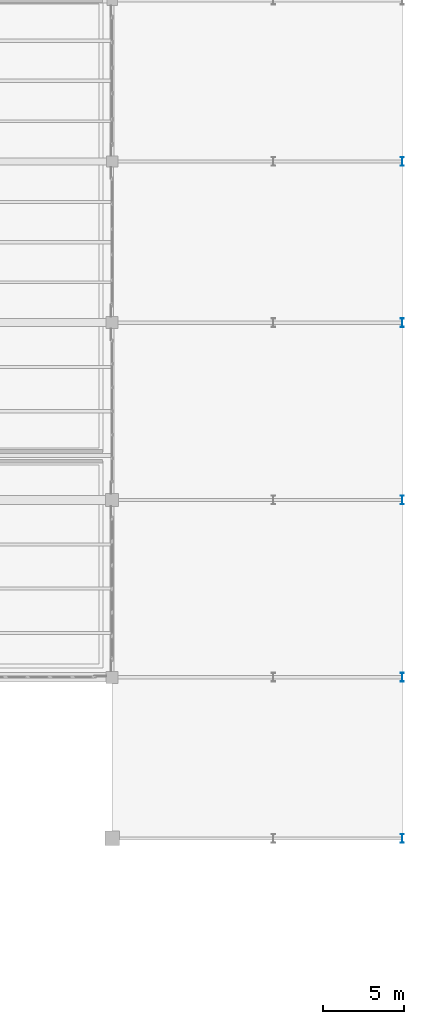
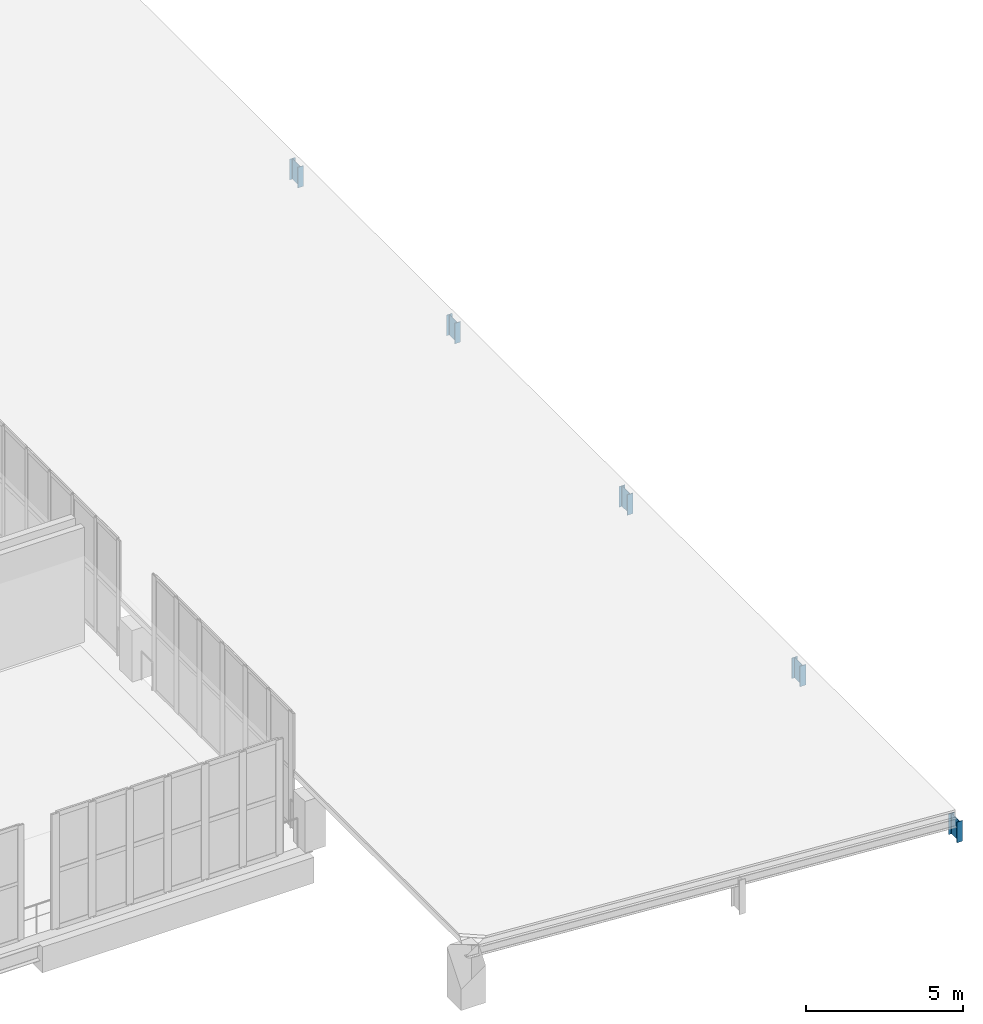
# One storey, part 15 of 136: 5 columns.
"""IFC4 building model written with IfcOpenShell, lengths in metres."""

from ifc_helpers import new_model, si_unit, direction, frame, origin, origin_2d, place, context, subcontext, project, spatial, i_section, extrude, material, material_profile, profile_set, type_object, element, save


model = new_model("IFC4")

# Units and contexts
model_context = context("Model", 3, precision=1e-05, world=origin(), true_north=direction((0.0, 1.0)))
body_context = subcontext(model_context, "Body", "Model", "MODEL_VIEW")
ifc_project = project(units=[si_unit("LENGTHUNIT", "METRE"), si_unit("AREAUNIT", "SQUARE_METRE"), si_unit("VOLUMEUNIT", "CUBIC_METRE"), si_unit("PLANEANGLEUNIT", "RADIAN"), si_unit("MASSUNIT", "GRAM", prefix="KILO")], contexts=[model_context])

# Site, building, storey
site_placement = place(None, origin())
site = spatial("IfcSite", under=ifc_project, at=site_placement, CompositionType="ELEMENT")
building_placement = place(site_placement, origin())
building = spatial("IfcBuilding", under=site, at=building_placement, Name="Brinegate Civic Arena", CompositionType="ELEMENT")
storey_placement = place(building_placement, frame((0.0, 0.0, 5.39990234375)))
storey = spatial("IfcBuildingStorey", under=building, at=storey_placement, Name="L01", CompositionType="ELEMENT", Elevation=5.39990234375)

# Columns
ifc_material = material(Name="Steel S355", Category="steel")
ifc_material_profile = material_profile(ifc_material, i_section(OverallWidth=0.2119140625, OverallDepth=0.5439453125, WebThickness=0.012939453125, FlangeThickness=0.02099609375, FilletRadius=0.01611328125, at=origin_2d()), Name="W530X123")
ifc_profile_set = profile_set([ifc_material_profile], Name="Steel S355")
column_type = type_object("IfcColumnType", Name="COL-SC02-W530", PredefinedType="COLUMN", material=ifc_profile_set)
for number, where, z_axis, x_axis, name in (
    (1, (208.0, 10.0, 0.0), (0.0, 0.0, 1.0), (1.0, 0.0, 0.0), "Dock Roof Column COL-L01-19-B"),
    (2, (208.0, 20.0, 0.0), (0.0, 0.0, 1.0), (1.0, 0.0, 0.0), "Dock Roof Column COL-L01-19-C"),
    (3, (208.0, 31.0, 0.0), (0.0, 0.0, 1.0), (1.0, 0.0, 0.0), "Dock Roof Column COL-L01-19-D"),
    (4, (208.0, 42.0, 0.0), (0.0, 0.0, 1.0), (1.0, 0.0, 0.0), "Dock Roof Column COL-L01-19-E"),
    (5, (208.0, 52.0, 0.0), (0.0, 0.0, 1.0), (1.0, 0.0, 0.0), "Dock Roof Column COL-L01-19-F"),
):
    element("IfcColumn", number, at=place(storey_placement, frame(where, z_axis=z_axis, x_axis=x_axis)), inside=storey, type_object=column_type, Name=name, PredefinedType="COLUMN", context=body_context, shape_type="SweptSolid", body=[
        extrude(i_section(OverallWidth=0.2119140625, OverallDepth=0.5439453125, WebThickness=0.012939453125, FlangeThickness=0.02099609375, FilletRadius=0.01611328125, at=origin_2d()), origin(), (0.0, 0.0, 1.0), 0.800048828125),
    ])

save(model, "model.ifc")
